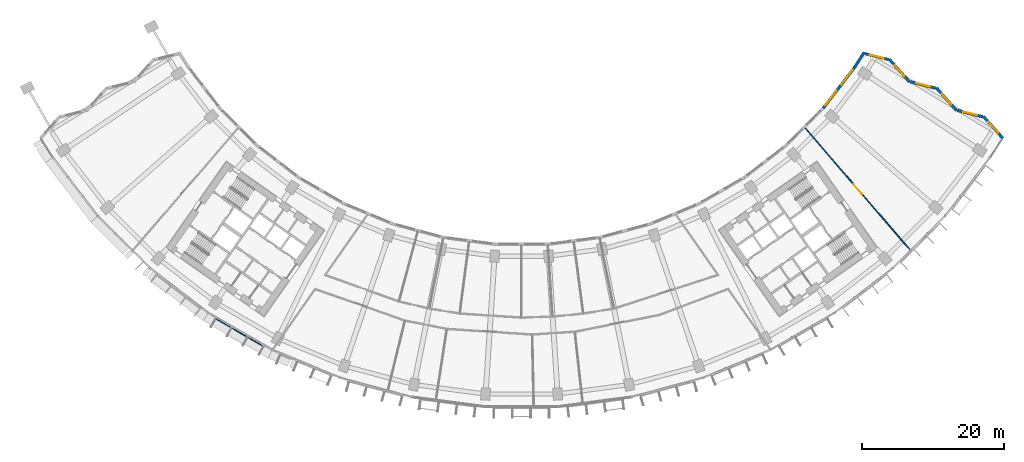
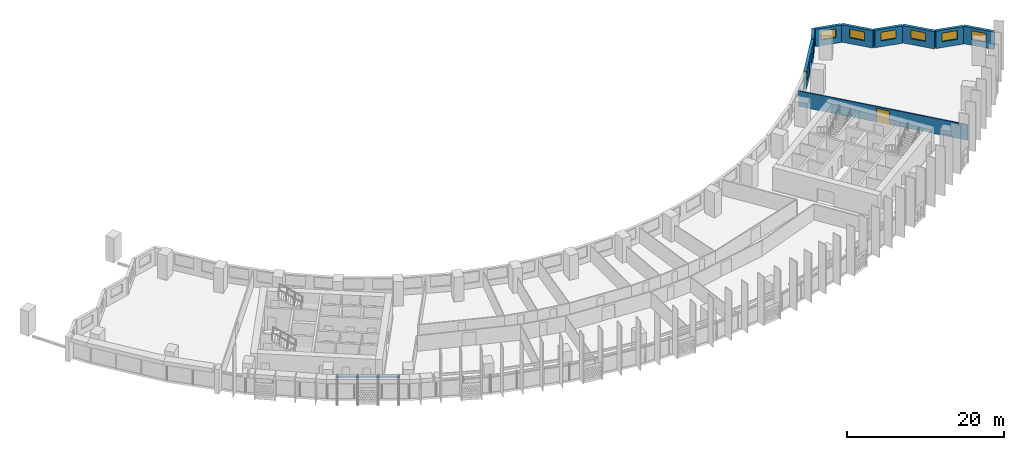
# One storey, part 8 of 33: 9 walls, 8 windows, 1 discrete accessory, 1 door, 9 openings.
"""IFC4 building model written with IfcOpenShell, lengths in metres."""

from ifc_helpers import new_model, si_unit, direction, frame, frame_2d, origin, origin_2d, place, context, subcontext, project, spatial, rectangle, extrude, material, layer, layer_set, type_object, element, fill, save


model = new_model("IFC4")

# Units and contexts
model_context = context("Model", 3, precision=1e-05, world=origin(), true_north=direction((0.0, 1.0)))
body_context = subcontext(model_context, "Body", "Model", "MODEL_VIEW")
ifc_project = project(units=[si_unit("LENGTHUNIT", "METRE"), si_unit("AREAUNIT", "SQUARE_METRE"), si_unit("VOLUMEUNIT", "CUBIC_METRE"), si_unit("PLANEANGLEUNIT", "RADIAN"), si_unit("MASSUNIT", "GRAM", prefix="KILO")], contexts=[model_context])

# Site, building, storey
site_placement = place(None, origin())
site = spatial("IfcSite", under=ifc_project, at=site_placement, CompositionType="ELEMENT")
building_placement = place(site_placement, origin())
building = spatial("IfcBuilding", under=site, at=building_placement, Name="Qamariyya Broadcast Tower", CompositionType="ELEMENT")
storey_placement = place(building_placement, frame((0.0, 0.0, 78.5)))
storey = spatial("IfcBuildingStorey", under=building, at=storey_placement, Name="L16", CompositionType="ELEMENT", Elevation=78.5)

# Wall, opening, door
ifc_material_1 = material(Name="Gypsum board partition")
ifc_layer_1 = layer(ifc_material_1, 0.14990234375)
ifc_layer_set_1 = layer_set([ifc_layer_1], Name="Corridor partition 150 EI 60")
wall_type_1 = type_object("IfcWallType", Name="Corridor partition 150 EI 60", PredefinedType="PARTITIONING", material=ifc_layer_set_1)
wall_1_placement = place(storey_placement, frame((40.021240234375, -40.063232421875, 0.0), z_axis=(0.0, 0.0, 1.0), x_axis=(0.652471531746, -0.757813235739, 0.0)))
wall_1 = element("IfcWall", 1, at=wall_1_placement, inside=storey, type_object=wall_type_1, Name="Partition L16-031", PredefinedType="PARTITIONING", context=body_context, shape_type="SweptSolid", body=[
    extrude(rectangle(XDim=22.71484375, YDim=0.14990234375, at=frame_2d((11.357421875, 0.0))), origin(), (0.0, 0.0, 1.0), 2.39990234375),
])
opening_1_placement = place(wall_1_placement, frame((10.45751953125, 0.0, 0.0)))
opening_1 = element("IfcOpeningElement", 2, at=opening_1_placement, cuts=wall_1, Name="Opening L16-D15", PredefinedType="OPENING", context=body_context, shape_type="SweptSolid", body=[
    extrude(rectangle(XDim=1.800048828125, YDim=2.10009765625, at=frame_2d((0.89990234375, 1.050048828125))), frame((0.0, 0.0849609375, 0.0), z_axis=(0.0, -1.0, 0.0), x_axis=(1.0, 0.0, 0.0)), (0.0, 0.0, 1.0), 0.169921875),
])
ifc_material_2 = material(Name="Timber fire door leaf", Category="wood")
door_type = type_object("IfcDoorType", Name="Double fire door 1800 x 2100 FD60", OperationType="NOTDEFINED", PredefinedType="DOOR", material=ifc_material_2)
door_placement = place(opening_1_placement, origin())
door = element("IfcDoor", 3, at=door_placement, inside=storey, type_object=door_type, Name="Door L16-D15", OperationType="DOUBLE_DOOR_SINGLE_SWING", OverallHeight=2.10009765625, OverallWidth=1.800048828125, PredefinedType="DOOR", context=body_context, shape_type="SweptSolid", body=[
    extrude(rectangle(XDim=1.800048828125, YDim=2.10009765625, at=frame_2d((0.89990234375, 1.050048828125))), frame((0.0, 0.02490234375, 0.0), z_axis=(0.0, -1.0, 0.0), x_axis=(1.0, 0.0, 0.0)), (0.0, 0.0, 1.0), 0.050048828125),
])
fill(opening_1, door)

# Wall, opening, window
ifc_material_3 = material(Name="Terracotta", Category="masonry")
ifc_layer_2 = layer(ifc_material_3, 0.39990234375)
ifc_layer_set_2 = layer_set([ifc_layer_2], Name="Terracotta clad wall 400")
wall_type_2 = type_object("IfcWallType", Name="Terracotta clad wall 400", PredefinedType="SOLIDWALL", material=ifc_layer_set_2)
wall_2_placement = place(storey_placement, frame((67.91796875, -41.495849609375, 0.0), z_axis=(0.0, 0.0, 1.0), x_axis=(-0.663705482517, 0.747994005642, 0.0)))
wall_2 = element("IfcWall", 4, at=wall_2_placement, inside=storey, type_object=wall_type_2, Name="e-wl-L16-capE0", PredefinedType="SOLIDWALL", context=body_context, shape_type="SweptSolid", body=[
    extrude(rectangle(XDim=4.12158203125, YDim=0.39990234375, at=frame_2d((2.060791015625, 0.0))), origin(), (0.0, 0.0, 1.0), 2.699951171875),
])
opening_2_placement = place(wall_2_placement, frame((1.060791015625, 0.0, 0.89990234375)))
opening_2 = element("IfcOpeningElement", 5, at=opening_2_placement, cuts=wall_2, Name="Opening W4", PredefinedType="OPENING", context=body_context, shape_type="SweptSolid", body=[
    extrude(rectangle(XDim=2.0, YDim=1.35009765625, at=frame_2d((1.0, 0.675048828125))), frame((0.0, 0.2099609375, 0.0), z_axis=(0.0, -1.0, 0.0), x_axis=(1.0, 0.0, 0.0)), (0.0, 0.0, 1.0), 0.419921875),
])
ifc_material_4 = material(Name="Clear low-e double glazed unit in aluminium frame", Category="aluminium")
window_type_1 = type_object("IfcWindowType", Name="Horn bay window 2000 x 1350", PartitioningType="SINGLE_PANEL", PredefinedType="WINDOW", material=ifc_material_4)
window_1_placement = place(opening_2_placement, origin())
window_1 = element("IfcWindow", 6, at=window_1_placement, inside=storey, type_object=window_type_1, Name="e-w-L16-capE0", OverallHeight=1.35009765625, OverallWidth=2.0, PartitioningType="SINGLE_PANEL", PredefinedType="WINDOW", context=body_context, shape_type="SweptSolid", body=[
    extrude(rectangle(XDim=2.0, YDim=1.35009765625, at=frame_2d((1.0, 0.675048828125))), frame((0.0, 0.030029296875, 0.0), z_axis=(0.0, -1.0, 0.0), x_axis=(1.0, 0.0, 0.0)), (0.0, 0.0, 1.0), 0.06005859375),
])
fill(opening_2, window_1)

wall_3_placement = place(storey_placement, frame((65.058349609375, -38.445556640625, 0.0), z_axis=(0.0, 0.0, 1.0), x_axis=(-0.969988807302, 0.243149570652, 0.0)))
wall_3 = element("IfcWall", 7, at=wall_3_placement, inside=storey, type_object=wall_type_2, Name="e-wl-L16-capE1", PredefinedType="SOLIDWALL", context=body_context, shape_type="SweptSolid", body=[
    extrude(rectangle(XDim=3.64892578125, YDim=0.39990234375, at=frame_2d((1.824462890625, 0.0))), origin(), (0.0, 0.0, 1.0), 2.699951171875),
])
opening_3_placement = place(wall_3_placement, frame((0.824462890625, 0.0, 0.89990234375)))
opening_3 = element("IfcOpeningElement", 8, at=opening_3_placement, cuts=wall_3, Name="Opening W4", PredefinedType="OPENING", context=body_context, shape_type="SweptSolid", body=[
    extrude(rectangle(XDim=2.0, YDim=1.35009765625, at=frame_2d((1.0, 0.675048828125))), frame((0.0, 0.2099609375, 0.0), z_axis=(0.0, -1.0, 0.0), x_axis=(1.0, 0.0, 0.0)), (0.0, 0.0, 1.0), 0.419921875),
])
window_2_placement = place(opening_3_placement, origin())
window_2 = element("IfcWindow", 9, at=window_2_placement, inside=storey, type_object=window_type_1, Name="e-w-L16-capE1", OverallHeight=1.35009765625, OverallWidth=2.0, PartitioningType="SINGLE_PANEL", PredefinedType="WINDOW", context=body_context, shape_type="SweptSolid", body=[
    extrude(rectangle(XDim=2.0, YDim=1.35009765625, at=frame_2d((1.0, 0.675048828125))), frame((0.0, 0.030029296875, 0.0), z_axis=(0.0, -1.0, 0.0), x_axis=(1.0, 0.0, 0.0)), (0.0, 0.0, 1.0), 0.06005859375),
])
fill(opening_3, window_2)

wall_4_placement = place(storey_placement, frame((61.394775390625, -37.591064453125, 0.0), z_axis=(0.0, 0.0, 1.0), x_axis=(-0.663756718881, 0.747948539767, 0.0)))
wall_4 = element("IfcWall", 10, at=wall_4_placement, inside=storey, type_object=wall_type_2, Name="e-wl-L16-capE2", PredefinedType="SOLIDWALL", context=body_context, shape_type="SweptSolid", body=[
    extrude(rectangle(XDim=4.294677734375, YDim=0.39990234375, at=frame_2d((2.1474609375, 0.0))), origin(), (0.0, 0.0, 1.0), 2.699951171875),
])
opening_4_placement = place(wall_4_placement, frame((1.147216796875, 0.0, 0.89990234375)))
opening_4 = element("IfcOpeningElement", 11, at=opening_4_placement, cuts=wall_4, Name="Opening W4", PredefinedType="OPENING", context=body_context, shape_type="SweptSolid", body=[
    extrude(rectangle(XDim=2.0, YDim=1.35009765625, at=frame_2d((1.0, 0.675048828125))), frame((0.0, 0.2099609375, 0.0), z_axis=(0.0, -1.0, 0.0), x_axis=(1.0, 0.0, 0.0)), (0.0, 0.0, 1.0), 0.419921875),
])
window_3_placement = place(opening_4_placement, origin())
window_3 = element("IfcWindow", 12, at=window_3_placement, inside=storey, type_object=window_type_1, Name="e-w-L16-capE2", OverallHeight=1.35009765625, OverallWidth=2.0, PartitioningType="SINGLE_PANEL", PredefinedType="WINDOW", context=body_context, shape_type="SweptSolid", body=[
    extrude(rectangle(XDim=2.0, YDim=1.35009765625, at=frame_2d((1.0, 0.675048828125))), frame((0.0, 0.030029296875, 0.0), z_axis=(0.0, -1.0, 0.0), x_axis=(1.0, 0.0, 0.0)), (0.0, 0.0, 1.0), 0.06005859375),
])
fill(opening_4, window_3)

wall_5_placement = place(storey_placement, frame((58.419921875, -34.411865234375, 0.0), z_axis=(0.0, 0.0, 1.0), x_axis=(-0.969984807543, 0.243165526208, 0.0)))
wall_5 = element("IfcWall", 13, at=wall_5_placement, inside=storey, type_object=wall_type_2, Name="e-wl-L16-capE3", PredefinedType="SOLIDWALL", context=body_context, shape_type="SweptSolid", body=[
    extrude(rectangle(XDim=3.6474609375, YDim=0.39990234375, at=frame_2d((1.82373046875, 0.0))), origin(), (0.0, 0.0, 1.0), 2.699951171875),
])
opening_5_placement = place(wall_5_placement, frame((0.82373046875, 0.0, 0.89990234375)))
opening_5 = element("IfcOpeningElement", 14, at=opening_5_placement, cuts=wall_5, Name="Opening W4", PredefinedType="OPENING", context=body_context, shape_type="SweptSolid", body=[
    extrude(rectangle(XDim=2.0, YDim=1.35009765625, at=frame_2d((1.0, 0.675048828125))), frame((0.0, 0.2099609375, 0.0), z_axis=(0.0, -1.0, 0.0), x_axis=(1.0, 0.0, 0.0)), (0.0, 0.0, 1.0), 0.419921875),
])
window_4_placement = place(opening_5_placement, origin())
window_4 = element("IfcWindow", 15, at=window_4_placement, inside=storey, type_object=window_type_1, Name="e-w-L16-capE3", OverallHeight=1.35009765625, OverallWidth=2.0, PartitioningType="SINGLE_PANEL", PredefinedType="WINDOW", context=body_context, shape_type="SweptSolid", body=[
    extrude(rectangle(XDim=2.0, YDim=1.35009765625, at=frame_2d((1.0, 0.675048828125))), frame((0.0, 0.030029296875, 0.0), z_axis=(0.0, -1.0, 0.0), x_axis=(1.0, 0.0, 0.0)), (0.0, 0.0, 1.0), 0.06005859375),
])
fill(opening_5, window_4)

wall_6_placement = place(storey_placement, frame((54.757568359375, -33.557861328125, 0.0), z_axis=(0.0, 0.0, 1.0), x_axis=(-0.663831036009, 0.747882581447, 0.0)))
wall_6 = element("IfcWall", 16, at=wall_6_placement, inside=storey, type_object=wall_type_2, Name="e-wl-L16-capE4", PredefinedType="SOLIDWALL", context=body_context, shape_type="SweptSolid", body=[
    extrude(rectangle(XDim=4.2958984375, YDim=0.39990234375, at=frame_2d((2.14794921875, 0.0))), origin(), (0.0, 0.0, 1.0), 2.699951171875),
])
opening_6_placement = place(wall_6_placement, frame((1.14794921875, 0.0, 0.89990234375)))
opening_6 = element("IfcOpeningElement", 17, at=opening_6_placement, cuts=wall_6, Name="Opening W4", PredefinedType="OPENING", context=body_context, shape_type="SweptSolid", body=[
    extrude(rectangle(XDim=2.0, YDim=1.35009765625, at=frame_2d((1.0, 0.675048828125))), frame((0.0, 0.2099609375, 0.0), z_axis=(0.0, -1.0, 0.0), x_axis=(1.0, 0.0, 0.0)), (0.0, 0.0, 1.0), 0.419921875),
])
window_5_placement = place(opening_6_placement, origin())
window_5 = element("IfcWindow", 18, at=window_5_placement, inside=storey, type_object=window_type_1, Name="e-w-L16-capE4", OverallHeight=1.35009765625, OverallWidth=2.0, PartitioningType="SINGLE_PANEL", PredefinedType="WINDOW", context=body_context, shape_type="SweptSolid", body=[
    extrude(rectangle(XDim=2.0, YDim=1.35009765625, at=frame_2d((1.0, 0.675048828125))), frame((0.0, 0.030029296875, 0.0), z_axis=(0.0, -1.0, 0.0), x_axis=(1.0, 0.0, 0.0)), (0.0, 0.0, 1.0), 0.06005859375),
])
fill(opening_6, window_5)

wall_7_placement = place(storey_placement, frame((51.781494140625, -30.3779296875, 0.0), z_axis=(0.0, 0.0, 1.0), x_axis=(-0.97001118704, 0.243060274454, 0.0)))
wall_7 = element("IfcWall", 19, at=wall_7_placement, inside=storey, type_object=wall_type_2, Name="e-wl-L16-capE5", PredefinedType="SOLIDWALL", context=body_context, shape_type="SweptSolid", body=[
    extrude(rectangle(XDim=3.39404296875, YDim=0.39990234375, at=frame_2d((1.697021484375, 0.0))), origin(), (0.0, 0.0, 1.0), 2.699951171875),
])
opening_7_placement = place(wall_7_placement, frame((0.697021484375, 0.0, 0.89990234375)))
opening_7 = element("IfcOpeningElement", 20, at=opening_7_placement, cuts=wall_7, Name="Opening W4", PredefinedType="OPENING", context=body_context, shape_type="SweptSolid", body=[
    extrude(rectangle(XDim=2.0, YDim=1.35009765625, at=frame_2d((1.0, 0.675048828125))), frame((0.0, 0.2099609375, 0.0), z_axis=(0.0, -1.0, 0.0), x_axis=(1.0, 0.0, 0.0)), (0.0, 0.0, 1.0), 0.419921875),
])
window_6_placement = place(opening_7_placement, origin())
window_6 = element("IfcWindow", 21, at=window_6_placement, inside=storey, type_object=window_type_1, Name="e-w-L16-capE5", OverallHeight=1.35009765625, OverallWidth=2.0, PartitioningType="SINGLE_PANEL", PredefinedType="WINDOW", context=body_context, shape_type="SweptSolid", body=[
    extrude(rectangle(XDim=2.0, YDim=1.35009765625, at=frame_2d((1.0, 0.675048828125))), frame((0.0, 0.030029296875, 0.0), z_axis=(0.0, -1.0, 0.0), x_axis=(1.0, 0.0, 0.0)), (0.0, 0.0, 1.0), 0.06005859375),
])
fill(opening_7, window_6)

# Wall, openings, windows
wall_8_placement = place(storey_placement, frame((46.997802734375, -31.44677734375, 0.0), z_axis=(0.0, 0.0, 1.0), x_axis=(-0.608759636451, -0.793354715766, 0.0)))
wall_8 = element("IfcWall", 22, at=wall_8_placement, inside=storey, type_object=wall_type_2, Name="e-wl-L16-in150", PredefinedType="SOLIDWALL", context=body_context, shape_type="SweptSolid", body=[
    extrude(rectangle(XDim=7.309814453125, YDim=0.39990234375, at=frame_2d((3.65478515625, 0.0))), origin(), (0.0, 0.0, 1.0), 2.699951171875),
])
opening_8_placement = place(wall_8_placement, frame((4.204833984375, 0.0, 0.89990234375)))
opening_8 = element("IfcOpeningElement", 23, at=opening_8_placement, cuts=wall_8, Name="Opening W1", PredefinedType="OPENING", context=body_context, shape_type="SweptSolid", body=[
    extrude(rectangle(XDim=2.60009765625, YDim=1.64990234375, at=frame_2d((1.300048828125, 0.824951171875))), frame((0.0, 0.2099609375, 0.0), z_axis=(0.0, -1.0, 0.0), x_axis=(1.0, 0.0, 0.0)), (0.0, 0.0, 1.0), 0.419921875),
])
opening_9_placement = place(wall_8_placement, frame((0.519287109375, 0.0, 0.89990234375)))
opening_9 = element("IfcOpeningElement", 24, at=opening_9_placement, cuts=wall_8, Name="Opening W1", PredefinedType="OPENING", context=body_context, shape_type="SweptSolid", body=[
    extrude(rectangle(XDim=2.60009765625, YDim=1.64990234375, at=frame_2d((1.300048828125, 0.824951171875))), frame((0.0, 0.2099609375, 0.0), z_axis=(0.0, -1.0, 0.0), x_axis=(1.0, 0.0, 0.0)), (0.0, 0.0, 1.0), 0.419921875),
])
window_type_2 = type_object("IfcWindowType", Name="Ribbon window 2600 x 1650", PartitioningType="SINGLE_PANEL", PredefinedType="WINDOW", material=ifc_material_4)
window_7_placement = place(opening_8_placement, origin())
window_7 = element("IfcWindow", 25, at=window_7_placement, inside=storey, type_object=window_type_2, Name="e-w-L16-in15-0", OverallHeight=1.64990234375, OverallWidth=2.60009765625, PartitioningType="SINGLE_PANEL", PredefinedType="WINDOW", context=body_context, shape_type="SweptSolid", body=[
    extrude(rectangle(XDim=2.60009765625, YDim=1.64990234375, at=frame_2d((1.300048828125, 0.824951171875))), frame((0.0, 0.030029296875, 0.0), z_axis=(0.0, -1.0, 0.0), x_axis=(1.0, 0.0, 0.0)), (0.0, 0.0, 1.0), 0.06005859375),
])
fill(opening_8, window_7)
window_8_placement = place(opening_9_placement, origin())
window_8 = element("IfcWindow", 26, at=window_8_placement, inside=storey, type_object=window_type_2, Name="e-w-L16-in15-1", OverallHeight=1.64990234375, OverallWidth=2.60009765625, PartitioningType="SINGLE_PANEL", PredefinedType="WINDOW", context=body_context, shape_type="SweptSolid", body=[
    extrude(rectangle(XDim=2.60009765625, YDim=1.64990234375, at=frame_2d((1.300048828125, 0.824951171875))), frame((0.0, 0.030029296875, 0.0), z_axis=(0.0, -1.0, 0.0), x_axis=(1.0, 0.0, 0.0)), (0.0, 0.0, 1.0), 0.06005859375),
])
fill(opening_9, window_8)

# Wall
wall_9_placement = place(storey_placement, frame((48.34912109375, -29.33203125, 0.0), z_axis=(0.0, 0.0, 1.0), x_axis=(-0.5375407981, -0.843237742501, 0.0)))
element("IfcWall", 27, at=wall_9_placement, inside=storey, type_object=wall_type_2, Name="e-wl-L16-in160", PredefinedType="SOLIDWALL", context=body_context, shape_type="SweptSolid", body=[
    extrude(rectangle(XDim=2.492431640625, YDim=0.39990234375, at=frame_2d((1.24609375, 0.0))), origin(), (0.0, 0.0, 1.0), 2.699951171875),
])

# Discrete accessory
ifc_material_5 = material(Name="Stainless steel 316", Category="steel")
discrete_accessory_type = type_object("IfcDiscreteAccessoryType", Name="Slab edge fixing angle, stainless steel", PredefinedType="BRACKET", material=ifc_material_5)
discrete_accessory_placement = place(storey_placement, frame((-39.77734375, -68.896240234375, 3.2998046875), z_axis=(0.0, 0.0, 1.0), x_axis=(0.866025403784, -0.5, 0.0)))
element("IfcDiscreteAccessory", 28, at=discrete_accessory_placement, inside=storey, type_object=discrete_accessory_type, Name="e-br-L16-04-0", PredefinedType="BRACKET", context=body_context, shape_type="SweptSolid", body=[
    extrude(rectangle(XDim=7.9140625, YDim=0.14990234375, at=origin_2d()), origin(), (0.0, 0.0, 1.0), 0.300048828125),
])

save(model, "model.ifc")
